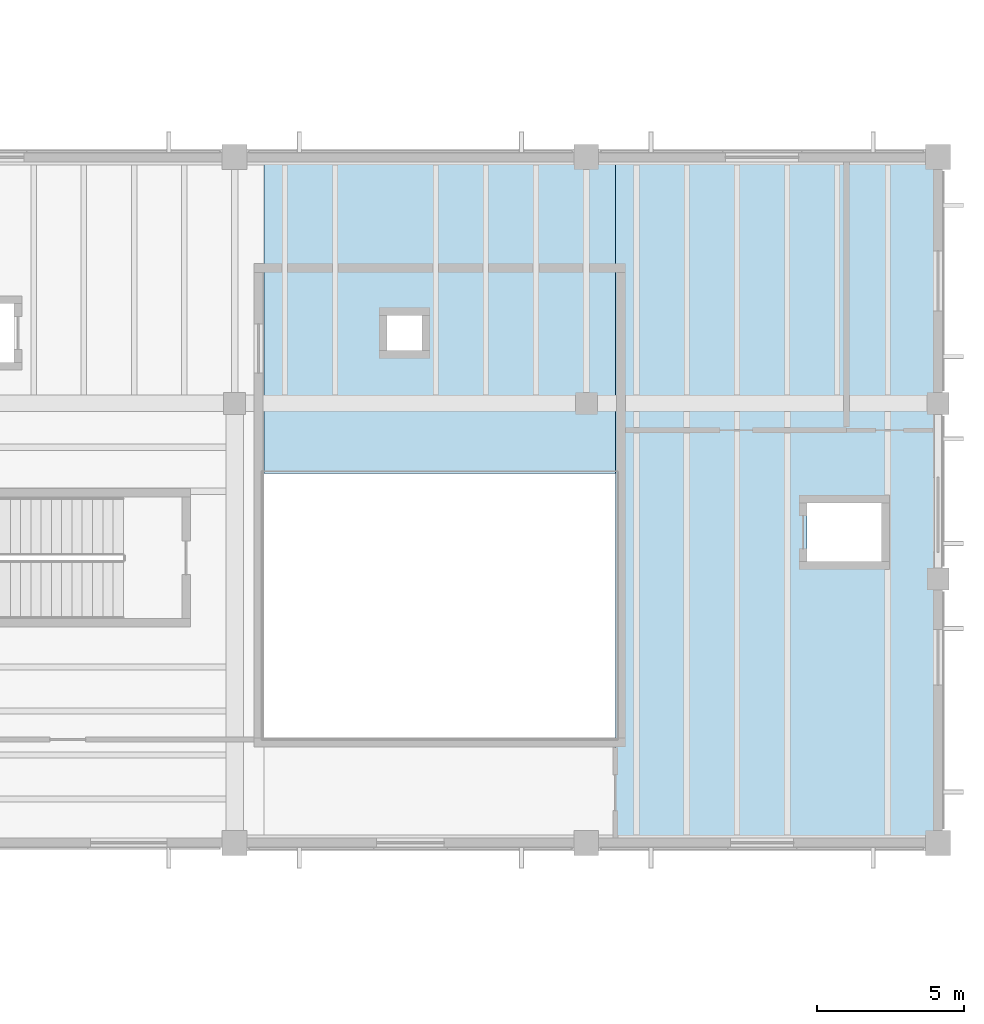
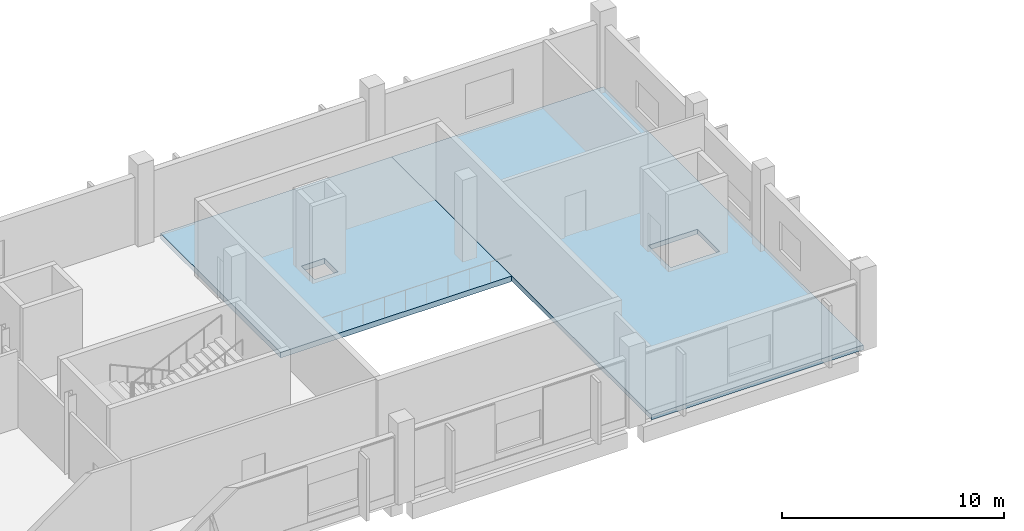
# One storey, part 85 of 114: 2 slabs.
"""IFC4 building model written with IfcOpenShell, lengths in metres."""

from ifc_helpers import new_model, si_unit, direction, frame, origin, place, context, subcontext, project, spatial, polyline, outline, extrude, material, layer, layer_set, type_object, element, save


model = new_model("IFC4")

# Units and contexts
model_context = context("Model", 3, precision=1e-05, world=origin(), true_north=direction((0.0, 1.0)))
body_context = subcontext(model_context, "Body", "Model", "MODEL_VIEW")
ifc_project = project(units=[si_unit("LENGTHUNIT", "METRE"), si_unit("AREAUNIT", "SQUARE_METRE"), si_unit("VOLUMEUNIT", "CUBIC_METRE"), si_unit("PLANEANGLEUNIT", "RADIAN"), si_unit("MASSUNIT", "GRAM", prefix="KILO")], contexts=[model_context])

# Site, building, storey
site_placement = place(None, origin())
site = spatial("IfcSite", under=ifc_project, at=site_placement, CompositionType="ELEMENT")
building_placement = place(site_placement, origin())
building = spatial("IfcBuilding", under=site, at=building_placement, Name="Kelmvaro Bay Concert Hall", CompositionType="ELEMENT")
storey_placement = place(building_placement, frame((0.0, 0.0, 4.800048828125)))
storey = spatial("IfcBuildingStorey", under=building, at=storey_placement, Name="L01", CompositionType="ELEMENT", Elevation=4.800048828125)

# Slabs
ifc_material_1 = material(Name="Concrete C40/50", Category="concrete")
ifc_layer_1 = layer(ifc_material_1, 0.300048828125)
ifc_layer_set_1 = layer_set([ifc_layer_1], Name="Concrete C40/50")
slab_type_1 = type_object("IfcSlabType", Name="Auditorium Tier Structural Slab 300", PredefinedType="FLOOR", material=ifc_layer_set_1)
slab_1_placement = place(storey_placement, frame((0.0, 0.0, -0.300048828125)))
element("IfcSlab", 1, at=slab_1_placement, inside=storey, type_object=slab_type_1, Name="L01 Structural Slab V2-N", PredefinedType="FLOOR", context=body_context, shape_type="SweptSolid", body=[
    extrude(outline(polyline([(145.0, 86.39990234375), (157.0, 86.39990234375), (157.0, 97.199951171875), (145.0, 97.199951171875), (145.0, 86.39990234375)]), holes=[polyline([(149.199951171875, 90.60009765625), (150.39990234375, 90.60009765625), (150.39990234375, 91.800048828125), (149.199951171875, 91.800048828125), (149.199951171875, 90.60009765625)])]), origin(), (0.0, 0.0, 1.0), 0.300048828125),
])
ifc_material_2 = material(Name="Concrete C40/50", Category="concrete")
ifc_layer_2 = layer(ifc_material_2, 0.260009765625)
ifc_layer_set_2 = layer_set([ifc_layer_2], Name="Concrete C40/50")
slab_type_2 = type_object("IfcSlabType", Name="Recording Box Floor Slab 260", PredefinedType="FLOOR", material=ifc_layer_set_2)
slab_2_placement = place(storey_placement, frame((0.0, 0.0, -0.260009765625)))
element("IfcSlab", 2, at=slab_2_placement, inside=storey, type_object=slab_type_2, Name="L01 Structural Slab V2-E", PredefinedType="FLOOR", context=body_context, shape_type="SweptSolid", body=[
    extrude(outline(polyline([(157.0, 73.800048828125), (168.0, 73.800048828125), (168.0, 97.199951171875), (157.0, 97.199951171875), (157.0, 73.800048828125)]), holes=[polyline([(163.52490234375, 83.39990234375), (166.074951171875, 83.39990234375), (166.074951171875, 85.39990234375), (163.52490234375, 85.39990234375), (163.52490234375, 83.39990234375)])]), origin(), (0.0, 0.0, 1.0), 0.260009765625),
])

save(model, "model.ifc")
